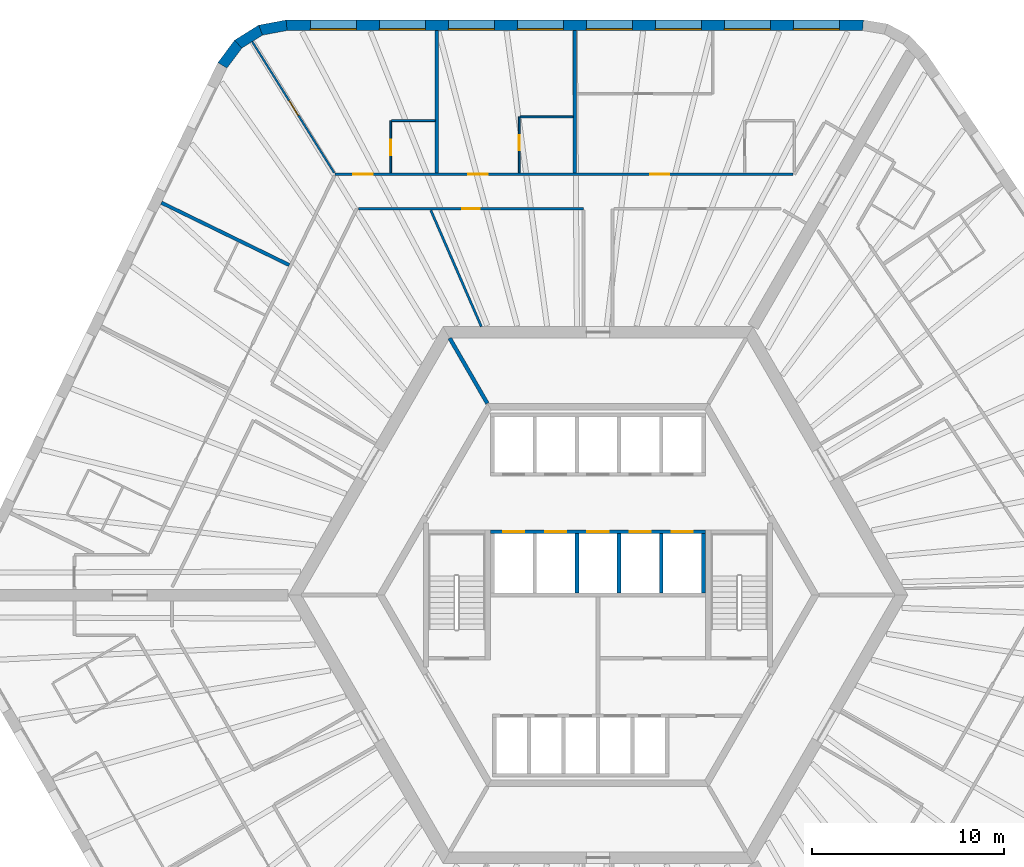
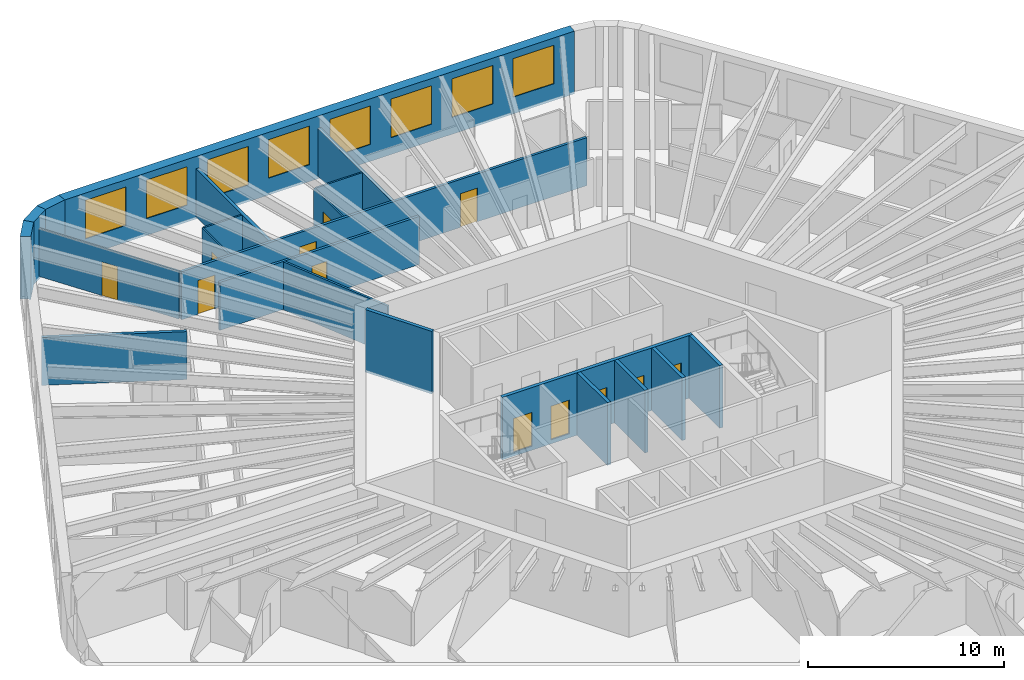
# One storey, part 8 of 12: 21 walls, 12 doors, 8 windows, 20 openings.
"""IFC4 building model written with IfcOpenShell, lengths in metres."""

from ifc_helpers import new_model, si_unit, direction, frame, frame_2d, origin, place, context, subcontext, project, spatial, polyline, rectangle, outline, extrude, material, layer, layer_set, type_object, element, fill, save


model = new_model("IFC4")

# Units and contexts
model_context = context("Model", 3, precision=1e-05, world=origin(), true_north=direction((0.0, 1.0)))
body_context = subcontext(model_context, "Body", "Model", "MODEL_VIEW")
ifc_project = project(units=[si_unit("LENGTHUNIT", "METRE"), si_unit("AREAUNIT", "SQUARE_METRE"), si_unit("VOLUMEUNIT", "CUBIC_METRE"), si_unit("PLANEANGLEUNIT", "RADIAN"), si_unit("MASSUNIT", "GRAM", prefix="KILO")], contexts=[model_context])

# Site, building, storey
site_placement = place(None, origin())
site = spatial("IfcSite", under=ifc_project, at=site_placement, CompositionType="ELEMENT")
building_placement = place(site_placement, origin())
building = spatial("IfcBuilding", under=site, at=building_placement, Name="Tarnside Tower", CompositionType="ELEMENT")
storey_placement = place(building_placement, frame((0.0, 0.0, 131.10009765625)))
storey = spatial("IfcBuildingStorey", under=building, at=storey_placement, Name="L30", CompositionType="ELEMENT", Elevation=131.10009765625)

# Wall, opening, door
ifc_material_1 = material(Name="Gypsum board partition on steel studs", Category="steel")
ifc_layer_1 = layer(ifc_material_1, 0.10009765625)
ifc_layer_set_1 = layer_set([ifc_layer_1], Name="Bathroom wall 100")
wall_type_1 = type_object("IfcWallType", Name="Bathroom wall 100", PredefinedType="PARTITIONING", material=ifc_layer_set_1)
wall_1_placement = place(storey_placement, frame((-4.111083984375, 22.02490234375, 0.0), z_axis=(0.0, 0.0, 1.0), x_axis=(0.0, 1.0, 0.0)))
wall_1 = element("IfcWall", 1, at=wall_1_placement, inside=storey, type_object=wall_type_1, Name="Bathroom wall 09089", PredefinedType="PARTITIONING", context=body_context, shape_type="SweptSolid", body=[
    extrude(rectangle(XDim=2.925048828125, YDim=0.10009765625, at=frame_2d((1.46240234375, 0.0))), origin(), (0.0, 0.0, 1.0), 2.98779296875),
])
opening_1_placement = place(wall_1_placement, frame((1.175048828125, 0.0, 0.0)))
opening_1 = element("IfcOpeningElement", 2, at=opening_1_placement, cuts=wall_1, Name="Opening D-B1", PredefinedType="OPENING", context=body_context, shape_type="SweptSolid", body=[
    extrude(rectangle(XDim=0.800048828125, YDim=2.10009765625, at=frame_2d((0.39990234375, 1.050048828125))), frame((0.0, 0.06005859375, 0.0), z_axis=(0.0, -1.0, 0.0), x_axis=(1.0, 0.0, 0.0)), (0.0, 0.0, 1.0), 0.1201171875),
])
ifc_material_2 = material(Name="Timber door leaf", Category="wood")
door_type_1 = type_object("IfcDoorType", Name="Bathroom door 800", OperationType="NOTDEFINED", PredefinedType="DOOR", material=ifc_material_2)
door_1_placement = place(opening_1_placement, origin())
door_1 = element("IfcDoor", 3, at=door_1_placement, inside=storey, type_object=door_type_1, Name="Bathroom door 09005", OperationType="SINGLE_SWING_LEFT", OverallHeight=2.10009765625, OverallWidth=0.800048828125, PredefinedType="DOOR", context=body_context, shape_type="SweptSolid", body=[
    extrude(rectangle(XDim=0.800048828125, YDim=2.10009765625, at=frame_2d((0.39990234375, 1.050048828125))), frame((0.0, 0.02490234375, 0.0), z_axis=(0.0, -1.0, 0.0), x_axis=(1.0, 0.0, 0.0)), (0.0, 0.0, 1.0), 0.050048828125),
])
fill(opening_1, door_1)

# Wall
wall_2_placement = place(storey_placement, frame((-4.06103515625, 24.949951171875, 0.0), z_axis=(0.0, 0.0, 1.0), x_axis=(1.0, 0.0, 0.0)))
element("IfcWall", 4, at=wall_2_placement, inside=storey, type_object=wall_type_1, Name="Bathroom wall 09090", PredefinedType="PARTITIONING", context=body_context, shape_type="SweptSolid", body=[
    extrude(rectangle(XDim=2.760009765625, YDim=0.10009765625, at=frame_2d((1.3798828125, 0.0))), origin(), (0.0, 0.0, 1.0), 2.98779296875),
])

# Wall, opening, door
wall_3_placement = place(storey_placement, frame((-10.81103515625, 22.02490234375, 0.0), z_axis=(0.0, 0.0, 1.0), x_axis=(0.0, 1.0, 0.0)))
wall_3 = element("IfcWall", 5, at=wall_3_placement, inside=storey, type_object=wall_type_1, Name="Bathroom wall 09093", PredefinedType="PARTITIONING", context=body_context, shape_type="SweptSolid", body=[
    extrude(rectangle(XDim=2.72509765625, YDim=0.10009765625, at=frame_2d((1.362548828125, 0.0))), origin(), (0.0, 0.0, 1.0), 2.98779296875),
])
opening_2_placement = place(wall_3_placement, frame((0.925048828125, 0.0, 0.0)))
opening_2 = element("IfcOpeningElement", 6, at=opening_2_placement, cuts=wall_3, Name="Opening D-B1", PredefinedType="OPENING", context=body_context, shape_type="SweptSolid", body=[
    extrude(rectangle(XDim=0.800048828125, YDim=2.10009765625, at=frame_2d((0.39990234375, 1.050048828125))), frame((0.0, 0.06005859375, 0.0), z_axis=(0.0, -1.0, 0.0), x_axis=(1.0, 0.0, 0.0)), (0.0, 0.0, 1.0), 0.1201171875),
])
door_2_placement = place(opening_2_placement, origin())
door_2 = element("IfcDoor", 7, at=door_2_placement, inside=storey, type_object=door_type_1, Name="Bathroom door 09007", OperationType="SINGLE_SWING_RIGHT", OverallHeight=2.10009765625, OverallWidth=0.800048828125, PredefinedType="DOOR", context=body_context, shape_type="SweptSolid", body=[
    extrude(rectangle(XDim=0.800048828125, YDim=2.10009765625, at=frame_2d((0.39990234375, 1.050048828125))), frame((0.0, 0.02490234375, 0.0), z_axis=(0.0, -1.0, 0.0), x_axis=(1.0, 0.0, 0.0)), (0.0, 0.0, 1.0), 0.050048828125),
])
fill(opening_2, door_2)

# Wall
wall_4_placement = place(storey_placement, frame((-10.760986328125, 24.75, 0.0), z_axis=(0.0, 0.0, 1.0), x_axis=(1.0, 0.0, 0.0)))
element("IfcWall", 8, at=wall_4_placement, inside=storey, type_object=wall_type_1, Name="Bathroom wall 09094", PredefinedType="PARTITIONING", context=body_context, shape_type="SweptSolid", body=[
    extrude(rectangle(XDim=2.260009765625, YDim=0.10009765625, at=frame_2d((1.1298828125, 0.0))), origin(), (0.0, 0.0, 1.0), 2.98779296875),
])

# Wall, openings, doors
ifc_layer_2 = layer(ifc_material_1, 0.14990234375)
ifc_layer_set_2 = layer_set([ifc_layer_2], Name="Corridor wall 150 EI 60")
wall_type_2 = type_object("IfcWallType", Name="Corridor wall 150 EI 60", PredefinedType="PARTITIONING", material=ifc_layer_set_2)
wall_5_placement = place(storey_placement, frame((10.161376953125, 21.949951171875, 0.0), z_axis=(0.0, 0.0, 1.0), x_axis=(-1.0, 0.0, 0.0)))
wall_5 = element("IfcWall", 9, at=wall_5_placement, inside=storey, type_object=wall_type_2, Name="Corridor wall 09001", PredefinedType="PARTITIONING", context=body_context, shape_type="SweptSolid", body=[
    extrude(rectangle(XDim=23.877197265625, YDim=0.14990234375, at=frame_2d((11.9384765625, 0.0))), origin(), (0.0, 0.0, 1.0), 2.98779296875),
])
opening_3_placement = place(wall_5_placement, frame((6.44287109375, 0.0, 0.0)))
opening_3 = element("IfcOpeningElement", 10, at=opening_3_placement, cuts=wall_5, Name="Opening D-E1", PredefinedType="OPENING", context=body_context, shape_type="SweptSolid", body=[
    extrude(rectangle(XDim=1.0, YDim=2.10009765625, at=frame_2d((0.5, 1.050048828125))), frame((0.0, 0.0849609375, 0.0), z_axis=(0.0, -1.0, 0.0), x_axis=(1.0, 0.0, 0.0)), (0.0, 0.0, 1.0), 0.169921875),
])
opening_4_placement = place(wall_5_placement, frame((15.92236328125, 0.0, 0.0)))
opening_4 = element("IfcOpeningElement", 11, at=opening_4_placement, cuts=wall_5, Name="Opening D-E1", PredefinedType="OPENING", context=body_context, shape_type="SweptSolid", body=[
    extrude(rectangle(XDim=1.0, YDim=2.10009765625, at=frame_2d((0.5, 1.050048828125))), frame((0.0, 0.0849609375, 0.0), z_axis=(0.0, -1.0, 0.0), x_axis=(1.0, 0.0, 0.0)), (0.0, 0.0, 1.0), 0.169921875),
])
opening_5_placement = place(wall_5_placement, frame((21.9248046875, 0.0, 0.0)))
opening_5 = element("IfcOpeningElement", 12, at=opening_5_placement, cuts=wall_5, Name="Opening D-E1", PredefinedType="OPENING", context=body_context, shape_type="SweptSolid", body=[
    extrude(rectangle(XDim=1.0, YDim=2.10009765625, at=frame_2d((0.5, 1.050048828125))), frame((0.0, 0.0849609375, 0.0), z_axis=(0.0, -1.0, 0.0), x_axis=(1.0, 0.0, 0.0)), (0.0, 0.0, 1.0), 0.169921875),
])
door_type_2 = type_object("IfcDoorType", Name="Unit entrance door 1000 FD30S", OperationType="NOTDEFINED", PredefinedType="DOOR", material=ifc_material_2)
door_3_placement = place(opening_3_placement, origin())
door_3 = element("IfcDoor", 13, at=door_3_placement, inside=storey, type_object=door_type_2, Name="Unit door 09001", OperationType="SINGLE_SWING_RIGHT", OverallHeight=2.10009765625, OverallWidth=1.0, PredefinedType="DOOR", context=body_context, shape_type="SweptSolid", body=[
    extrude(rectangle(XDim=1.0, YDim=2.10009765625, at=frame_2d((0.5, 1.050048828125))), frame((0.0, 0.02490234375, 0.0), z_axis=(0.0, -1.0, 0.0), x_axis=(1.0, 0.0, 0.0)), (0.0, 0.0, 1.0), 0.050048828125),
])
fill(opening_3, door_3)
door_4_placement = place(opening_4_placement, origin())
door_4 = element("IfcDoor", 14, at=door_4_placement, inside=storey, type_object=door_type_2, Name="Unit door 09004", OperationType="SINGLE_SWING_LEFT", OverallHeight=2.10009765625, OverallWidth=1.0, PredefinedType="DOOR", context=body_context, shape_type="SweptSolid", body=[
    extrude(rectangle(XDim=1.0, YDim=2.10009765625, at=frame_2d((0.5, 1.050048828125))), frame((0.0, 0.02490234375, 0.0), z_axis=(0.0, -1.0, 0.0), x_axis=(1.0, 0.0, 0.0)), (0.0, 0.0, 1.0), 0.050048828125),
])
fill(opening_4, door_4)
door_5_placement = place(opening_5_placement, origin())
door_5 = element("IfcDoor", 15, at=door_5_placement, inside=storey, type_object=door_type_2, Name="Unit door 09006", OperationType="SINGLE_SWING_LEFT", OverallHeight=2.10009765625, OverallWidth=1.0, PredefinedType="DOOR", context=body_context, shape_type="SweptSolid", body=[
    extrude(rectangle(XDim=1.0, YDim=2.10009765625, at=frame_2d((0.5, 1.050048828125))), frame((0.0, 0.02490234375, 0.0), z_axis=(0.0, -1.0, 0.0), x_axis=(1.0, 0.0, 0.0)), (0.0, 0.0, 1.0), 0.050048828125),
])
fill(opening_5, door_5)

# Wall, opening, door
wall_6_placement = place(storey_placement, frame((-12.507568359375, 20.14990234375, 0.0), z_axis=(0.0, 0.0, 1.0), x_axis=(1.0, 0.0, 0.0)))
wall_6 = element("IfcWall", 16, at=wall_6_placement, inside=storey, type_object=wall_type_2, Name="Corridor wall 09017", PredefinedType="PARTITIONING", context=body_context, shape_type="SweptSolid", body=[
    extrude(rectangle(XDim=11.757568359375, YDim=0.14990234375, at=frame_2d((5.87890625, 0.0))), origin(), (0.0, 0.0, 1.0), 2.98779296875),
])
opening_6_placement = place(wall_6_placement, frame((5.428955078125, 0.0, 0.0)))
opening_6 = element("IfcOpeningElement", 17, at=opening_6_placement, cuts=wall_6, Name="Opening D-S1", PredefinedType="OPENING", context=body_context, shape_type="SweptSolid", body=[
    extrude(rectangle(XDim=0.89990234375, YDim=2.10009765625, at=frame_2d((0.449951171875, 1.050048828125))), frame((0.0, 0.0849609375, 0.0), z_axis=(0.0, -1.0, 0.0), x_axis=(1.0, 0.0, 0.0)), (0.0, 0.0, 1.0), 0.169921875),
])
door_type_3 = type_object("IfcDoorType", Name="Service room door 900 FD30S", OperationType="NOTDEFINED", PredefinedType="DOOR", material=ifc_material_2)
door_6_placement = place(opening_6_placement, origin())
door_6 = element("IfcDoor", 18, at=door_6_placement, inside=storey, type_object=door_type_3, Name="Service door 09045", OperationType="SINGLE_SWING_RIGHT", OverallHeight=2.10009765625, OverallWidth=0.89990234375, PredefinedType="DOOR", context=body_context, shape_type="SweptSolid", body=[
    extrude(rectangle(XDim=0.89990234375, YDim=2.10009765625, at=frame_2d((0.449951171875, 1.050048828125))), frame((0.0, 0.02490234375, 0.0), z_axis=(0.0, -1.0, 0.0), x_axis=(1.0, 0.0, 0.0)), (0.0, 0.0, 1.0), 0.050048828125),
])
fill(opening_6, door_6)

# Walls
ifc_layer_3 = layer(ifc_material_1, 0.179931640625)
ifc_layer_set_3 = layer_set([ifc_layer_3], Name="Demising wall 180 EI 60")
wall_type_3 = type_object("IfcWallType", Name="Demising wall 180 EI 60", PredefinedType="PARTITIONING", material=ifc_layer_set_3)
for number, where, z_axis, x_axis, name in (
    (19, (-1.2109375, 29.449951171875, 0.0), (0.0, 0.0, 1.0), (0.0, -1.0, 0.0), "Demising wall 09086"),
    (20, (-8.4111328125, 29.449951171875, 0.0), (0.0, 0.0, 1.0), (0.0, -1.0, 0.0), "Demising wall 09091"),
    (21, (-22.7822265625, 20.469970703125, 0.0), (0.0, 0.0, 1.0), (0.898796252669, -0.438366623032, 0.0), "Demising wall 09096"),
):
    element("IfcWall", number, at=place(storey_placement, frame(where, z_axis=z_axis, x_axis=x_axis)), inside=storey, type_object=wall_type_3, Name=name, PredefinedType="PARTITIONING", context=body_context, shape_type="SweptSolid", body=[
        extrude(rectangle(XDim=7.425048828125, YDim=0.179931640625, at=frame_2d((3.71240234375, 0.0))), origin(), (0.0, 0.0, 1.0), 2.98779296875),
    ])

# Wall, openings, doors
ifc_material_3 = material(Name="Concrete C40/50", Category="concrete")
ifc_layer_4 = layer(ifc_material_3, 0.199951171875)
ifc_layer_set_4 = layer_set([ifc_layer_4], Name="Lift shaft wall 200 C40/50")
wall_type_4 = type_object("IfcWallType", Name="Lift shaft wall 200 C40/50", PredefinedType="SHEAR", material=ifc_layer_set_4)
wall_7_placement = place(storey_placement, frame((-5.60009765625, 3.300048828125, -0.25), z_axis=(0.0, 0.0, 1.0), x_axis=(1.0, 0.0, 0.0)))
wall_7 = element("IfcWall", 22, at=wall_7_placement, inside=storey, type_object=wall_type_4, Name="L30 lift shaft front wall R2", PredefinedType="SHEAR", context=body_context, shape_type="SweptSolid", body=[
    extrude(rectangle(XDim=11.2001953125, YDim=0.199951171875, at=frame_2d((5.60009765625, 0.0))), origin(), (0.0, 0.0, 1.0), 3.89990234375),
])
opening_7_placement = place(wall_7_placement, frame((0.64990234375, 0.0, 0.25)))
opening_7 = element("IfcOpeningElement", 23, at=opening_7_placement, cuts=wall_7, Name="Opening LD", PredefinedType="OPENING", context=body_context, shape_type="SweptSolid", body=[
    extrude(rectangle(XDim=1.10009765625, YDim=2.10009765625, at=frame_2d((0.550048828125, 1.050048828125))), frame((0.0, 0.10986328125, 0.0), z_axis=(0.0, -1.0, 0.0), x_axis=(1.0, 0.0, 0.0)), (0.0, 0.0, 1.0), 0.219970703125),
])
opening_8_placement = place(wall_7_placement, frame((2.85009765625, 0.0, 0.25)))
opening_8 = element("IfcOpeningElement", 24, at=opening_8_placement, cuts=wall_7, Name="Opening LD", PredefinedType="OPENING", context=body_context, shape_type="SweptSolid", body=[
    extrude(rectangle(XDim=1.10009765625, YDim=2.10009765625, at=frame_2d((0.550048828125, 1.050048828125))), frame((0.0, 0.10986328125, 0.0), z_axis=(0.0, -1.0, 0.0), x_axis=(1.0, 0.0, 0.0)), (0.0, 0.0, 1.0), 0.219970703125),
])
opening_9_placement = place(wall_7_placement, frame((5.050048828125, 0.0, 0.25)))
opening_9 = element("IfcOpeningElement", 25, at=opening_9_placement, cuts=wall_7, Name="Opening LD", PredefinedType="OPENING", context=body_context, shape_type="SweptSolid", body=[
    extrude(rectangle(XDim=1.10009765625, YDim=2.10009765625, at=frame_2d((0.550048828125, 1.050048828125))), frame((0.0, 0.10986328125, 0.0), z_axis=(0.0, -1.0, 0.0), x_axis=(1.0, 0.0, 0.0)), (0.0, 0.0, 1.0), 0.219970703125),
])
opening_10_placement = place(wall_7_placement, frame((7.25, 0.0, 0.25)))
opening_10 = element("IfcOpeningElement", 26, at=opening_10_placement, cuts=wall_7, Name="Opening LD", PredefinedType="OPENING", context=body_context, shape_type="SweptSolid", body=[
    extrude(rectangle(XDim=1.10009765625, YDim=2.10009765625, at=frame_2d((0.550048828125, 1.050048828125))), frame((0.0, 0.10986328125, 0.0), z_axis=(0.0, -1.0, 0.0), x_axis=(1.0, 0.0, 0.0)), (0.0, 0.0, 1.0), 0.219970703125),
])
opening_11_placement = place(wall_7_placement, frame((9.449951171875, 0.0, 0.25)))
opening_11 = element("IfcOpeningElement", 27, at=opening_11_placement, cuts=wall_7, Name="Opening LD", PredefinedType="OPENING", context=body_context, shape_type="SweptSolid", body=[
    extrude(rectangle(XDim=1.10009765625, YDim=2.10009765625, at=frame_2d((0.550048828125, 1.050048828125))), frame((0.0, 0.10986328125, 0.0), z_axis=(0.0, -1.0, 0.0), x_axis=(1.0, 0.0, 0.0)), (0.0, 0.0, 1.0), 0.219970703125),
])
ifc_material_4 = material(Name="Stainless steel", Category="steel")
door_type_4 = type_object("IfcDoorType", Name="Lift landing door 1100x2100", OperationType="NOTDEFINED", PredefinedType="DOOR", material=ifc_material_4)
door_7_placement = place(opening_7_placement, origin())
door_7 = element("IfcDoor", 28, at=door_7_placement, inside=storey, type_object=door_type_4, Name="Low-rise lift 4 landing door L30", OperationType="SLIDING_TO_LEFT", OverallHeight=2.10009765625, OverallWidth=1.10009765625, PredefinedType="DOOR", context=body_context, shape_type="SweptSolid", body=[
    extrude(rectangle(XDim=1.10009765625, YDim=2.10009765625, at=frame_2d((0.550048828125, 1.050048828125))), frame((0.0, 0.02490234375, 0.0), z_axis=(0.0, -1.0, 0.0), x_axis=(1.0, 0.0, 0.0)), (0.0, 0.0, 1.0), 0.050048828125),
])
fill(opening_7, door_7)
door_8_placement = place(opening_8_placement, origin())
door_8 = element("IfcDoor", 29, at=door_8_placement, inside=storey, type_object=door_type_4, Name="Low-rise lift 5 landing door L30", OperationType="SLIDING_TO_LEFT", OverallHeight=2.10009765625, OverallWidth=1.10009765625, PredefinedType="DOOR", context=body_context, shape_type="SweptSolid", body=[
    extrude(rectangle(XDim=1.10009765625, YDim=2.10009765625, at=frame_2d((0.550048828125, 1.050048828125))), frame((0.0, 0.02490234375, 0.0), z_axis=(0.0, -1.0, 0.0), x_axis=(1.0, 0.0, 0.0)), (0.0, 0.0, 1.0), 0.050048828125),
])
fill(opening_8, door_8)
door_9_placement = place(opening_9_placement, origin())
door_9 = element("IfcDoor", 30, at=door_9_placement, inside=storey, type_object=door_type_4, Name="Low-rise lift 6 landing door L30", OperationType="SLIDING_TO_LEFT", OverallHeight=2.10009765625, OverallWidth=1.10009765625, PredefinedType="DOOR", context=body_context, shape_type="SweptSolid", body=[
    extrude(rectangle(XDim=1.10009765625, YDim=2.10009765625, at=frame_2d((0.550048828125, 1.050048828125))), frame((0.0, 0.02490234375, 0.0), z_axis=(0.0, -1.0, 0.0), x_axis=(1.0, 0.0, 0.0)), (0.0, 0.0, 1.0), 0.050048828125),
])
fill(opening_9, door_9)
door_10_placement = place(opening_10_placement, origin())
door_10 = element("IfcDoor", 31, at=door_10_placement, inside=storey, type_object=door_type_4, Name="High sky-lobby shuttle 1 landing door L30", OperationType="SLIDING_TO_LEFT", OverallHeight=2.10009765625, OverallWidth=1.10009765625, PredefinedType="DOOR", context=body_context, shape_type="SweptSolid", body=[
    extrude(rectangle(XDim=1.10009765625, YDim=2.10009765625, at=frame_2d((0.550048828125, 1.050048828125))), frame((0.0, 0.02490234375, 0.0), z_axis=(0.0, -1.0, 0.0), x_axis=(1.0, 0.0, 0.0)), (0.0, 0.0, 1.0), 0.050048828125),
])
fill(opening_10, door_10)
door_11_placement = place(opening_11_placement, origin())
door_11 = element("IfcDoor", 32, at=door_11_placement, inside=storey, type_object=door_type_4, Name="Express sky-lobby shuttle 2 landing door L30", OperationType="SLIDING_TO_LEFT", OverallHeight=2.10009765625, OverallWidth=1.10009765625, PredefinedType="DOOR", context=body_context, shape_type="SweptSolid", body=[
    extrude(rectangle(XDim=1.10009765625, YDim=2.10009765625, at=frame_2d((0.550048828125, 1.050048828125))), frame((0.0, 0.02490234375, 0.0), z_axis=(0.0, -1.0, 0.0), x_axis=(1.0, 0.0, 0.0)), (0.0, 0.0, 1.0), 0.050048828125),
])
fill(opening_11, door_11)

# Walls
for number, where, z_axis, x_axis, name in (
    (33, (-1.10009765625, 0.10009765625, -0.25), (0.0, 0.0, 1.0), (0.0, 1.0, 0.0), "L30 lift shaft partition R23"),
    (34, (1.10009765625, 0.10009765625, -0.25), (0.0, 0.0, 1.0), (0.0, 1.0, 0.0), "L30 lift shaft partition R24"),
    (35, (3.300048828125, 0.10009765625, -0.25), (0.0, 0.0, 1.0), (0.0, 1.0, 0.0), "L30 lift shaft partition R25"),
    (36, (5.5, 0.10009765625, -0.25), (0.0, 0.0, 1.0), (0.0, 1.0, 0.0), "L30 lift shaft partition R26"),
):
    element("IfcWall", number, at=place(storey_placement, frame(where, z_axis=z_axis, x_axis=x_axis)), inside=storey, type_object=wall_type_4, Name=name, PredefinedType="SHEAR", context=body_context, shape_type="SweptSolid", body=[
        extrude(rectangle(XDim=3.099853515625, YDim=0.199951171875, at=frame_2d((1.5498046875, 0.0))), origin(), (0.0, 0.0, 1.0), 3.89990234375),
    ])
wall_8_placement = place(storey_placement, frame((-5.7734375, 10.0, -0.150146484375), z_axis=(0.0, 0.0, 1.0), x_axis=(-0.500038251005, 0.86600331843, 0.0)))
element("IfcWall", 37, at=wall_8_placement, inside=storey, type_object=wall_type_4, Name="L30 core partition AR120", PredefinedType="SHEAR", context=body_context, shape_type="SweptSolid", body=[
    extrude(rectangle(XDim=3.926025390625, YDim=0.199951171875, at=frame_2d((1.962890625, 0.0))), origin(), (0.0, 0.0, 1.0), 3.900146484375),
])

# Wall, opening, door
ifc_layer_5 = layer(ifc_material_1, 0.10009765625)
ifc_layer_set_5 = layer_set([ifc_layer_5], Name="Partition 100")
wall_type_5 = type_object("IfcWallType", Name="Partition 100", PredefinedType="PARTITIONING", material=ifc_layer_set_5)
wall_9_placement = place(storey_placement, frame((-18.040771484375, 28.87109375, 0.0), z_axis=(0.0, 0.0, 1.0), x_axis=(0.529928260537, -0.848042474575, 0.0)))
wall_9 = element("IfcWall", 38, at=wall_9_placement, inside=storey, type_object=wall_type_5, Name="Partition wall 09095", PredefinedType="PARTITIONING", context=body_context, shape_type="SweptSolid", body=[
    extrude(rectangle(XDim=8.072998046875, YDim=0.10009765625, at=frame_2d((4.03662109375, 0.0))), origin(), (0.0, 0.0, 1.0), 2.98779296875),
])
opening_12_placement = place(wall_9_placement, frame((3.630615234375, 0.0, 0.0)))
opening_12 = element("IfcOpeningElement", 39, at=opening_12_placement, cuts=wall_9, Name="Opening D-I1", PredefinedType="OPENING", context=body_context, shape_type="SweptSolid", body=[
    extrude(rectangle(XDim=0.89990234375, YDim=2.10009765625, at=frame_2d((0.449951171875, 1.050048828125))), frame((0.0, 0.06005859375, 0.0), z_axis=(0.0, -1.0, 0.0), x_axis=(1.0, 0.0, 0.0)), (0.0, 0.0, 1.0), 0.1201171875),
])
door_type_5 = type_object("IfcDoorType", Name="Internal door 900", OperationType="NOTDEFINED", PredefinedType="DOOR", material=ifc_material_2)
door_12_placement = place(opening_12_placement, origin())
door_12 = element("IfcDoor", 40, at=door_12_placement, inside=storey, type_object=door_type_5, Name="Internal door 09008", OperationType="SINGLE_SWING_LEFT", OverallHeight=2.10009765625, OverallWidth=0.89990234375, PredefinedType="DOOR", context=body_context, shape_type="SweptSolid", body=[
    extrude(rectangle(XDim=0.89990234375, YDim=2.10009765625, at=frame_2d((0.449951171875, 1.050048828125))), frame((0.0, 0.02490234375, 0.0), z_axis=(0.0, -1.0, 0.0), x_axis=(1.0, 0.0, 0.0)), (0.0, 0.0, 1.0), 0.050048828125),
])
fill(opening_12, door_12)

# Wall
ifc_layer_6 = layer(ifc_material_1, 0.1201171875)
ifc_layer_set_6 = layer_set([ifc_layer_6], Name="Service room wall 120 EI 60")
wall_type_6 = type_object("IfcWallType", Name="Service room wall 120 EI 60", PredefinedType="PARTITIONING", material=ifc_layer_set_6)
wall_10_placement = place(storey_placement, frame((-8.72412109375, 20.074951171875, 0.0), z_axis=(0.0, 0.0, 1.0), x_axis=(0.398549547162, -0.917146803111, 0.0)))
element("IfcWall", 41, at=wall_10_placement, inside=storey, type_object=wall_type_6, Name="Service wall 09174", PredefinedType="PARTITIONING", context=body_context, shape_type="SweptSolid", body=[
    extrude(rectangle(XDim=6.623779296875, YDim=0.1201171875, at=frame_2d((3.31201171875, 0.0))), origin(), (0.0, 0.0, 1.0), 2.98779296875),
])

# Wall, openings, windows
ifc_material_5 = material(Name="Facing brick", Category="masonry")
ifc_layer_7 = layer(ifc_material_5, 0.10205078125)
ifc_material_6 = material(Name="Concrete C60/75 precast", Category="concrete")
ifc_layer_8 = layer(ifc_material_6, 0.347900390625)
ifc_material_7 = material(Name="Mineral wool insulation")
ifc_layer_9 = layer(ifc_material_7, 0.10009765625)
ifc_layer_set_7 = layer_set([ifc_layer_7, ifc_layer_8, ifc_layer_9], Name="Tube wall 550 brick faced")
wall_type_7 = type_object("IfcWallType", Name="Tube wall 550 brick faced", PredefinedType="SOLIDWALL", material=ifc_layer_set_7)
wall_11_placement = place(storey_placement, frame((13.824462890625, 29.72509765625, -0.150146484375), z_axis=(0.0, 0.0, 1.0), x_axis=(-1.0, 0.0, 0.0)))
wall_11 = element("IfcWall", 42, at=wall_11_placement, inside=storey, type_object=wall_type_7, Name="Tube wall L30 F1 flush 00", PredefinedType="SOLIDWALL", context=body_context, shape_type="SweptSolid", body=[
    extrude(outline(polyline([(-0.0224609375, -0.27490234375), (30.0966796875, -0.27490234375), (30.04541015625, 0.27490234375), (0.0224609375, 0.27490234375), (-0.0224609375, -0.27490234375)])), origin(), (0.0, 0.0, 1.0), 3.900146484375),
])
opening_13_placement = place(wall_11_placement, frame((1.235595703125, 0.0, 1.050048828125)))
opening_13 = element("IfcOpeningElement", 43, at=opening_13_placement, cuts=wall_11, Name="Opening WH", PredefinedType="OPENING", context=body_context, shape_type="SweptSolid", body=[
    extrude(rectangle(XDim=2.39990234375, YDim=2.39990234375, at=frame_2d((1.199951171875, 1.199951171875))), frame((0.0, 0.28515625, 0.0), z_axis=(0.0, -1.0, 0.0), x_axis=(1.0, 0.0, 0.0)), (0.0, 0.0, 1.0), 0.570068359375),
])
opening_14_placement = place(wall_11_placement, frame((4.83544921875, 0.0, 1.050048828125)))
opening_14 = element("IfcOpeningElement", 44, at=opening_14_placement, cuts=wall_11, Name="Opening WH", PredefinedType="OPENING", context=body_context, shape_type="SweptSolid", body=[
    extrude(rectangle(XDim=2.39990234375, YDim=2.39990234375, at=frame_2d((1.199951171875, 1.199951171875))), frame((0.0, 0.28515625, 0.0), z_axis=(0.0, -1.0, 0.0), x_axis=(1.0, 0.0, 0.0)), (0.0, 0.0, 1.0), 0.570068359375),
])
opening_15_placement = place(wall_11_placement, frame((8.435546875, 0.0, 1.050048828125)))
opening_15 = element("IfcOpeningElement", 45, at=opening_15_placement, cuts=wall_11, Name="Opening WH", PredefinedType="OPENING", context=body_context, shape_type="SweptSolid", body=[
    extrude(rectangle(XDim=2.39990234375, YDim=2.39990234375, at=frame_2d((1.199951171875, 1.199951171875))), frame((0.0, 0.28515625, 0.0), z_axis=(0.0, -1.0, 0.0), x_axis=(1.0, 0.0, 0.0)), (0.0, 0.0, 1.0), 0.570068359375),
])
opening_16_placement = place(wall_11_placement, frame((12.035400390625, 0.0, 1.050048828125)))
opening_16 = element("IfcOpeningElement", 46, at=opening_16_placement, cuts=wall_11, Name="Opening WH", PredefinedType="OPENING", context=body_context, shape_type="SweptSolid", body=[
    extrude(rectangle(XDim=2.39990234375, YDim=2.39990234375, at=frame_2d((1.199951171875, 1.199951171875))), frame((0.0, 0.28515625, 0.0), z_axis=(0.0, -1.0, 0.0), x_axis=(1.0, 0.0, 0.0)), (0.0, 0.0, 1.0), 0.570068359375),
])
opening_17_placement = place(wall_11_placement, frame((15.635498046875, 0.0, 1.050048828125)))
opening_17 = element("IfcOpeningElement", 47, at=opening_17_placement, cuts=wall_11, Name="Opening WH", PredefinedType="OPENING", context=body_context, shape_type="SweptSolid", body=[
    extrude(rectangle(XDim=2.39990234375, YDim=2.39990234375, at=frame_2d((1.199951171875, 1.199951171875))), frame((0.0, 0.28515625, 0.0), z_axis=(0.0, -1.0, 0.0), x_axis=(1.0, 0.0, 0.0)), (0.0, 0.0, 1.0), 0.570068359375),
])
opening_18_placement = place(wall_11_placement, frame((19.235595703125, 0.0, 1.050048828125)))
opening_18 = element("IfcOpeningElement", 48, at=opening_18_placement, cuts=wall_11, Name="Opening WH", PredefinedType="OPENING", context=body_context, shape_type="SweptSolid", body=[
    extrude(rectangle(XDim=2.39990234375, YDim=2.39990234375, at=frame_2d((1.199951171875, 1.199951171875))), frame((0.0, 0.28515625, 0.0), z_axis=(0.0, -1.0, 0.0), x_axis=(1.0, 0.0, 0.0)), (0.0, 0.0, 1.0), 0.570068359375),
])
opening_19_placement = place(wall_11_placement, frame((22.83544921875, 0.0, 1.050048828125)))
opening_19 = element("IfcOpeningElement", 49, at=opening_19_placement, cuts=wall_11, Name="Opening WH", PredefinedType="OPENING", context=body_context, shape_type="SweptSolid", body=[
    extrude(rectangle(XDim=2.39990234375, YDim=2.39990234375, at=frame_2d((1.199951171875, 1.199951171875))), frame((0.0, 0.28515625, 0.0), z_axis=(0.0, -1.0, 0.0), x_axis=(1.0, 0.0, 0.0)), (0.0, 0.0, 1.0), 0.570068359375),
])
opening_20_placement = place(wall_11_placement, frame((26.435546875, 0.0, 1.050048828125)))
opening_20 = element("IfcOpeningElement", 50, at=opening_20_placement, cuts=wall_11, Name="Opening WH", PredefinedType="OPENING", context=body_context, shape_type="SweptSolid", body=[
    extrude(rectangle(XDim=2.39990234375, YDim=2.39990234375, at=frame_2d((1.199951171875, 1.199951171875))), frame((0.0, 0.28515625, 0.0), z_axis=(0.0, -1.0, 0.0), x_axis=(1.0, 0.0, 0.0)), (0.0, 0.0, 1.0), 0.570068359375),
])
ifc_material_8 = material(Name="Aluminium-framed double glazing", Category="aluminium")
window_type = type_object("IfcWindowType", Name="Hotel window 2400 x 2400", PartitioningType="DOUBLE_PANEL_VERTICAL", PredefinedType="WINDOW", material=ifc_material_8)
window_1_placement = place(opening_13_placement, frame((0.0, 0.205078125, 0.0)))
window_1 = element("IfcWindow", 51, at=window_1_placement, inside=storey, type_object=window_type, Name="E.WN.L30.F1.00", OverallHeight=2.39990234375, OverallWidth=2.39990234375, PartitioningType="DOUBLE_PANEL_VERTICAL", PredefinedType="WINDOW", context=body_context, shape_type="SweptSolid", body=[
    extrude(rectangle(XDim=2.39990234375, YDim=2.39990234375, at=frame_2d((1.199951171875, 1.199951171875))), frame((0.0, 0.030029296875, 0.0), z_axis=(0.0, -1.0, 0.0), x_axis=(1.0, 0.0, 0.0)), (0.0, 0.0, 1.0), 0.06005859375),
])
fill(opening_13, window_1)
window_2_placement = place(opening_14_placement, frame((0.0, 0.205078125, 0.0)))
window_2 = element("IfcWindow", 52, at=window_2_placement, inside=storey, type_object=window_type, Name="E.WN.L30.F1.01", OverallHeight=2.39990234375, OverallWidth=2.39990234375, PartitioningType="DOUBLE_PANEL_VERTICAL", PredefinedType="WINDOW", context=body_context, shape_type="SweptSolid", body=[
    extrude(rectangle(XDim=2.39990234375, YDim=2.39990234375, at=frame_2d((1.199951171875, 1.199951171875))), frame((0.0, 0.030029296875, 0.0), z_axis=(0.0, -1.0, 0.0), x_axis=(1.0, 0.0, 0.0)), (0.0, 0.0, 1.0), 0.06005859375),
])
fill(opening_14, window_2)
window_3_placement = place(opening_15_placement, frame((0.0, 0.205078125, 0.0)))
window_3 = element("IfcWindow", 53, at=window_3_placement, inside=storey, type_object=window_type, Name="E.WN.L30.F1.02", OverallHeight=2.39990234375, OverallWidth=2.39990234375, PartitioningType="DOUBLE_PANEL_VERTICAL", PredefinedType="WINDOW", context=body_context, shape_type="SweptSolid", body=[
    extrude(rectangle(XDim=2.39990234375, YDim=2.39990234375, at=frame_2d((1.199951171875, 1.199951171875))), frame((0.0, 0.030029296875, 0.0), z_axis=(0.0, -1.0, 0.0), x_axis=(1.0, 0.0, 0.0)), (0.0, 0.0, 1.0), 0.06005859375),
])
fill(opening_15, window_3)
window_4_placement = place(opening_16_placement, frame((0.0, 0.205078125, 0.0)))
window_4 = element("IfcWindow", 54, at=window_4_placement, inside=storey, type_object=window_type, Name="E.WN.L30.F1.03", OverallHeight=2.39990234375, OverallWidth=2.39990234375, PartitioningType="DOUBLE_PANEL_VERTICAL", PredefinedType="WINDOW", context=body_context, shape_type="SweptSolid", body=[
    extrude(rectangle(XDim=2.39990234375, YDim=2.39990234375, at=frame_2d((1.199951171875, 1.199951171875))), frame((0.0, 0.030029296875, 0.0), z_axis=(0.0, -1.0, 0.0), x_axis=(1.0, 0.0, 0.0)), (0.0, 0.0, 1.0), 0.06005859375),
])
fill(opening_16, window_4)
window_5_placement = place(opening_17_placement, frame((0.0, 0.205078125, 0.0)))
window_5 = element("IfcWindow", 55, at=window_5_placement, inside=storey, type_object=window_type, Name="E.WN.L30.F1.04", OverallHeight=2.39990234375, OverallWidth=2.39990234375, PartitioningType="DOUBLE_PANEL_VERTICAL", PredefinedType="WINDOW", context=body_context, shape_type="SweptSolid", body=[
    extrude(rectangle(XDim=2.39990234375, YDim=2.39990234375, at=frame_2d((1.199951171875, 1.199951171875))), frame((0.0, 0.030029296875, 0.0), z_axis=(0.0, -1.0, 0.0), x_axis=(1.0, 0.0, 0.0)), (0.0, 0.0, 1.0), 0.06005859375),
])
fill(opening_17, window_5)
window_6_placement = place(opening_18_placement, frame((0.0, 0.205078125, 0.0)))
window_6 = element("IfcWindow", 56, at=window_6_placement, inside=storey, type_object=window_type, Name="E.WN.L30.F1.05", OverallHeight=2.39990234375, OverallWidth=2.39990234375, PartitioningType="DOUBLE_PANEL_VERTICAL", PredefinedType="WINDOW", context=body_context, shape_type="SweptSolid", body=[
    extrude(rectangle(XDim=2.39990234375, YDim=2.39990234375, at=frame_2d((1.199951171875, 1.199951171875))), frame((0.0, 0.030029296875, 0.0), z_axis=(0.0, -1.0, 0.0), x_axis=(1.0, 0.0, 0.0)), (0.0, 0.0, 1.0), 0.06005859375),
])
fill(opening_18, window_6)
window_7_placement = place(opening_19_placement, frame((0.0, 0.205078125, 0.0)))
window_7 = element("IfcWindow", 57, at=window_7_placement, inside=storey, type_object=window_type, Name="E.WN.L30.F1.06", OverallHeight=2.39990234375, OverallWidth=2.39990234375, PartitioningType="DOUBLE_PANEL_VERTICAL", PredefinedType="WINDOW", context=body_context, shape_type="SweptSolid", body=[
    extrude(rectangle(XDim=2.39990234375, YDim=2.39990234375, at=frame_2d((1.199951171875, 1.199951171875))), frame((0.0, 0.030029296875, 0.0), z_axis=(0.0, -1.0, 0.0), x_axis=(1.0, 0.0, 0.0)), (0.0, 0.0, 1.0), 0.06005859375),
])
fill(opening_19, window_7)
window_8_placement = place(opening_20_placement, frame((0.0, 0.205078125, 0.0)))
window_8 = element("IfcWindow", 58, at=window_8_placement, inside=storey, type_object=window_type, Name="E.WN.L30.F1.07", OverallHeight=2.39990234375, OverallWidth=2.39990234375, PartitioningType="DOUBLE_PANEL_VERTICAL", PredefinedType="WINDOW", context=body_context, shape_type="SweptSolid", body=[
    extrude(rectangle(XDim=2.39990234375, YDim=2.39990234375, at=frame_2d((1.199951171875, 1.199951171875))), frame((0.0, 0.030029296875, 0.0), z_axis=(0.0, -1.0, 0.0), x_axis=(1.0, 0.0, 0.0)), (0.0, 0.0, 1.0), 0.06005859375),
])
fill(opening_20, window_8)

# Walls
wall_12_placement = place(storey_placement, frame((-16.24658203125, 29.72509765625, -0.150146484375), z_axis=(0.0, 0.0, 1.0), x_axis=(-0.982705443133, -0.185175624845, 0.0)))
element("IfcWall", 59, at=wall_12_placement, inside=storey, type_object=wall_type_7, Name="Tube wall L30 F1 chord 01", PredefinedType="SOLIDWALL", context=body_context, shape_type="SweptSolid", body=[
    extrude(outline(polyline([(-0.025634765625, -0.27490234375), (1.430908203125, -0.27490234375), (1.327392578125, 0.27490234375), (0.025634765625, 0.27490234375), (-0.025634765625, -0.27490234375)])), origin(), (0.0, 0.0, 1.0), 3.900146484375),
])
wall_13_placement = place(storey_placement, frame((-17.601806640625, 29.4697265625, -0.150146484375), z_axis=(0.0, 0.0, 1.0), x_axis=(-0.848057977594, -0.5299034503, 0.0)))
element("IfcWall", 60, at=wall_13_placement, inside=storey, type_object=wall_type_7, Name="Tube wall L30 F1 chord 02", PredefinedType="SOLIDWALL", context=body_context, shape_type="SweptSolid", body=[
    extrude(outline(polyline([(-0.0517578125, -0.27490234375), (1.4306640625, -0.27490234375), (1.3271484375, 0.27490234375), (0.0517578125, 0.27490234375), (-0.0517578125, -0.27490234375)])), origin(), (0.0, 0.0, 1.0), 3.900146484375),
])
wall_14_placement = place(storey_placement, frame((-18.771240234375, 28.739013671875, -0.150146484375), z_axis=(0.0, 0.0, 1.0), x_axis=(-0.597135295884, -0.802140535324, 0.0)))
element("IfcWall", 61, at=wall_14_placement, inside=storey, type_object=wall_type_7, Name="Tube wall L30 F1 chord 03", PredefinedType="SOLIDWALL", context=body_context, shape_type="SweptSolid", body=[
    extrude(outline(polyline([(-0.0517578125, -0.27490234375), (1.40478515625, -0.27490234375), (1.353515625, 0.27490234375), (0.0517578125, 0.27490234375), (-0.0517578125, -0.27490234375)])), origin(), (0.0, 0.0, 1.0), 3.900146484375),
])

save(model, "model.ifc")
